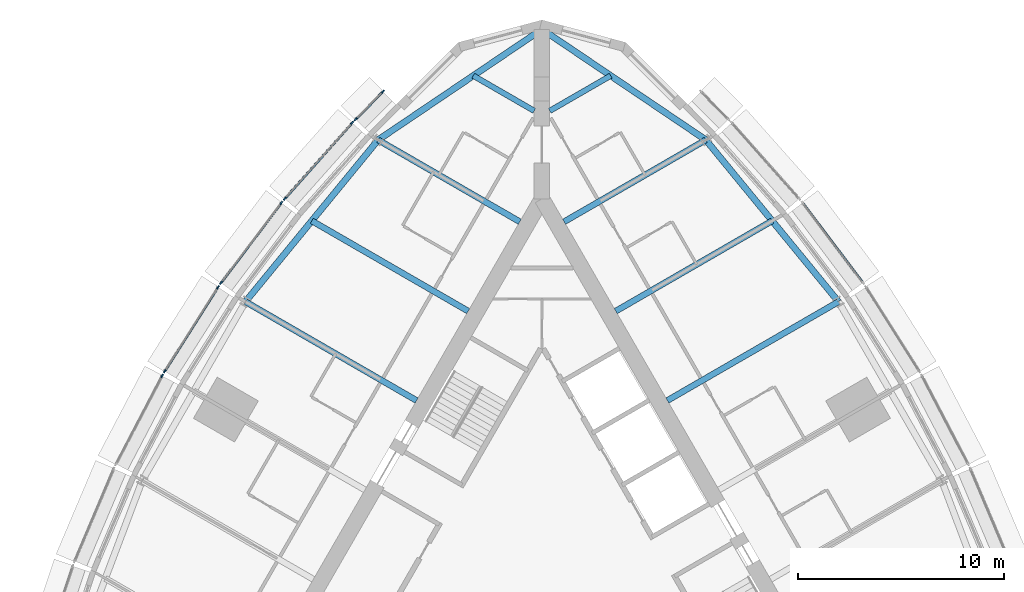
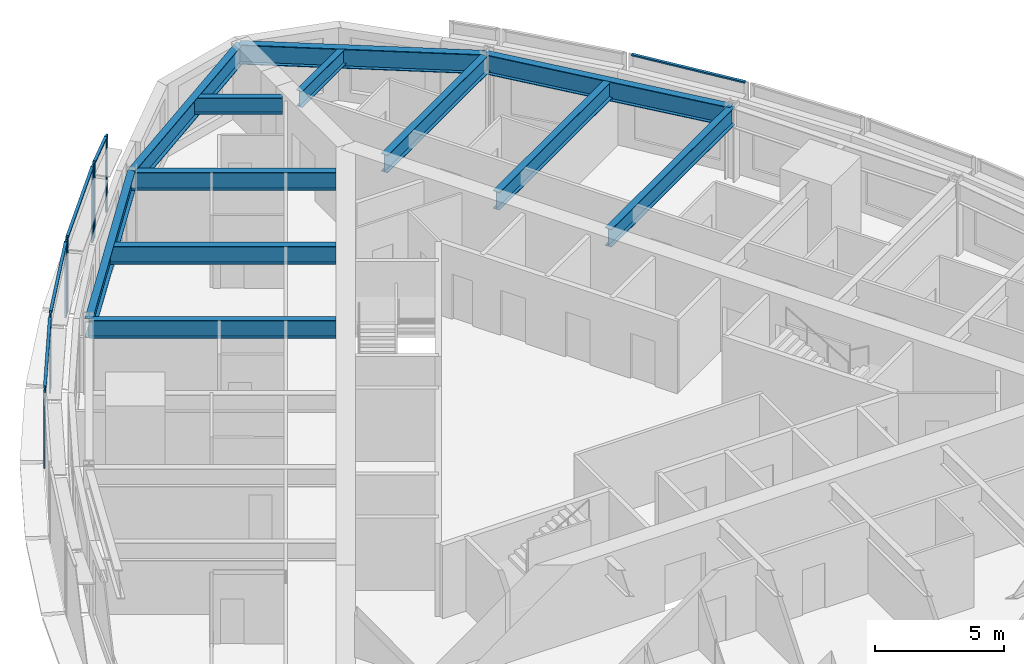
# One storey, part 5 of 15: 14 members, 12 beams, 6 elements without a shape of their own.
"""IFC4 building model written with IfcOpenShell, lengths in metres."""

from ifc_helpers import new_model, si_unit, direction, frame, origin, origin_2d, place, context, subcontext, project, spatial, rectangle, i_section, extrude, material, material_profile, profile_set, type_object, element, aggregate, save


model = new_model("IFC4")

# Units and contexts
model_context = context("Model", 3, precision=1e-05, world=origin(), true_north=direction((0.0, 1.0)))
body_context = subcontext(model_context, "Body", "Model", "MODEL_VIEW")
ifc_project = project(units=[si_unit("LENGTHUNIT", "METRE"), si_unit("AREAUNIT", "SQUARE_METRE"), si_unit("VOLUMEUNIT", "CUBIC_METRE"), si_unit("PLANEANGLEUNIT", "RADIAN"), si_unit("MASSUNIT", "GRAM", prefix="KILO")], contexts=[model_context])

# Site, building, storey
site_placement = place(None, origin())
site = spatial("IfcSite", under=ifc_project, at=site_placement, CompositionType="ELEMENT")
building_placement = place(site_placement, origin())
building = spatial("IfcBuilding", under=site, at=building_placement, Name="Trikona Tower", CompositionType="ELEMENT")
storey_placement = place(building_placement, frame((0.0, 0.0, 208.10009765625)))
storey = spatial("IfcBuildingStorey", under=building, at=storey_placement, Name="L55", CompositionType="ELEMENT", Elevation=208.10009765625)

# Curtain wall, members
ifc_material_1 = material(Name="Aluminium curtain wall system", Category="aluminium")
curtain_wall_type = type_object("IfcCurtainWallType", Name="Curtain wall DS3", PredefinedType="NOTDEFINED", material=ifc_material_1)
curtain_wall_1_placement = place(storey_placement, origin())
curtain_wall_1 = element("IfcCurtainWall", 1, at=curtain_wall_1_placement, inside=storey, type_object=curtain_wall_type, Name="Curtain wall DS3 L55", PredefinedType="NOTDEFINED")
ifc_material_2 = material(Name="Aluminium mullion, pale anodised", Category="aluminium")
ifc_material_profile_1 = material_profile(ifc_material_2, rectangle(XDim=0.070068359375, YDim=0.179931640625, at=origin_2d()), Name="MUL-DS3")
ifc_profile_set_1 = profile_set([ifc_material_profile_1], Name="Aluminium mullion, pale anodised")
member_type_1 = type_object("IfcMemberType", Name="Mullion DS3 70x180", PredefinedType="MULLION", material=ifc_profile_set_1)
member_1_placement = place(storey_placement, frame((-7.7060546875, 24.237548828125, 0.0), z_axis=(0.0, 0.0, 1.0), x_axis=(0.710051900554, -0.704149343903, 0.0)))
member_1 = element("IfcMember", 2, at=member_1_placement, type_object=member_type_1, Name="CW-DS3 mullion 1", PredefinedType="MULLION", context=body_context, shape_type="SweptSolid", body=[
    extrude(rectangle(XDim=0.070068359375, YDim=0.179931640625, at=origin_2d()), origin(), (0.0, 0.0, 1.0), 3.599853515625),
])
member_2_placement = place(storey_placement, frame((-9.028564453125, 22.904052734375, 0.0), z_axis=(0.0, 0.0, 1.0), x_axis=(0.710051900554, -0.704149343903, 0.0)))
member_2 = element("IfcMember", 3, at=member_2_placement, type_object=member_type_1, Name="CW-DS3 mullion 2", PredefinedType="MULLION", context=body_context, shape_type="SweptSolid", body=[
    extrude(rectangle(XDim=0.070068359375, YDim=0.179931640625, at=origin_2d()), origin(), (0.0, 0.0, 1.0), 3.599853515625),
])

curtain_wall_2_placement = place(storey_placement, origin())
curtain_wall_2 = element("IfcCurtainWall", 4, at=curtain_wall_2_placement, inside=storey, type_object=curtain_wall_type, Name="Curtain wall DS3 L55", PredefinedType="NOTDEFINED")
member_3_placement = place(storey_placement, frame((-9.192138671875, 22.729736328125, 0.0), z_axis=(0.0, 0.0, 1.0), x_axis=(0.747402677853, -0.664371309689, 0.0)))
member_3 = element("IfcMember", 5, at=member_3_placement, type_object=member_type_1, Name="CW-DS3 mullion 1", PredefinedType="MULLION", context=body_context, shape_type="SweptSolid", body=[
    extrude(rectangle(XDim=0.070068359375, YDim=0.179931640625, at=origin_2d()), origin(), (0.0, 0.0, 1.0), 3.599853515625),
])
member_4_placement = place(storey_placement, frame((-12.45751953125, 19.056396484375, 0.0), z_axis=(0.0, 0.0, 1.0), x_axis=(0.747402677853, -0.664371309689, 0.0)))
member_4 = element("IfcMember", 6, at=member_4_placement, type_object=member_type_1, Name="CW-DS3 mullion 2", PredefinedType="MULLION", context=body_context, shape_type="SweptSolid", body=[
    extrude(rectangle(XDim=0.070068359375, YDim=0.179931640625, at=origin_2d()), origin(), (0.0, 0.0, 1.0), 3.599853515625),
])

curtain_wall_3_placement = place(storey_placement, origin())
curtain_wall_3 = element("IfcCurtainWall", 7, at=curtain_wall_3_placement, inside=storey, type_object=curtain_wall_type, Name="Curtain wall DS3 L55", PredefinedType="NOTDEFINED")
member_5_placement = place(storey_placement, frame((-12.62353515625, 18.853759765625, 0.0), z_axis=(0.0, 0.0, 1.0), x_axis=(0.798193208724, -0.602401528506, 0.0)))
member_5 = element("IfcMember", 8, at=member_5_placement, type_object=member_type_1, Name="CW-DS3 mullion 1", PredefinedType="MULLION", context=body_context, shape_type="SweptSolid", body=[
    extrude(rectangle(XDim=0.070068359375, YDim=0.179931640625, at=origin_2d()), origin(), (0.0, 0.0, 1.0), 3.599853515625),
])
member_6_placement = place(storey_placement, frame((-15.5439453125, 14.984130859375, 0.0), z_axis=(0.0, 0.0, 1.0), x_axis=(0.798193208724, -0.602401528506, 0.0)))
member_6 = element("IfcMember", 9, at=member_6_placement, type_object=member_type_1, Name="CW-DS3 mullion 2", PredefinedType="MULLION", context=body_context, shape_type="SweptSolid", body=[
    extrude(rectangle(XDim=0.070068359375, YDim=0.179931640625, at=origin_2d()), origin(), (0.0, 0.0, 1.0), 3.599853515625),
])

curtain_wall_4_placement = place(storey_placement, origin())
curtain_wall_4 = element("IfcCurtainWall", 10, at=curtain_wall_4_placement, inside=storey, type_object=curtain_wall_type, Name="Curtain wall DS3 L55", PredefinedType="NOTDEFINED")
member_7_placement = place(storey_placement, frame((-15.69384765625, 14.767578125, 0.0), z_axis=(0.0, 0.0, 1.0), x_axis=(0.844727131858, -0.535197227854, 0.0)))
member_7 = element("IfcMember", 11, at=member_7_placement, type_object=member_type_1, Name="CW-DS3 mullion 1", PredefinedType="MULLION", context=body_context, shape_type="SweptSolid", body=[
    extrude(rectangle(XDim=0.070068359375, YDim=0.179931640625, at=origin_2d()), origin(), (0.0, 0.0, 1.0), 3.599853515625),
])
member_8_placement = place(storey_placement, frame((-18.2705078125, 10.700927734375, 0.0), z_axis=(0.0, 0.0, 1.0), x_axis=(0.844727131858, -0.535197227854, 0.0)))
member_8 = element("IfcMember", 12, at=member_8_placement, type_object=member_type_1, Name="CW-DS3 mullion 2", PredefinedType="MULLION", context=body_context, shape_type="SweptSolid", body=[
    extrude(rectangle(XDim=0.070068359375, YDim=0.179931640625, at=origin_2d()), origin(), (0.0, 0.0, 1.0), 3.599853515625),
])

# Curtain wall, member
curtain_wall_5_placement = place(storey_placement, origin())
curtain_wall_5 = element("IfcCurtainWall", 13, at=curtain_wall_5_placement, inside=storey, type_object=curtain_wall_type, Name="Curtain wall DS3 L55", PredefinedType="NOTDEFINED")
member_9_placement = place(storey_placement, frame((-18.40234375, 10.472412109375, 0.0), z_axis=(0.0, 0.0, 1.0), x_axis=(0.885862390527, -0.463948084434, 0.0)))
member_9 = element("IfcMember", 14, at=member_9_placement, type_object=member_type_1, Name="CW-DS3 mullion 1", PredefinedType="MULLION", context=body_context, shape_type="SweptSolid", body=[
    extrude(rectangle(XDim=0.070068359375, YDim=0.179931640625, at=origin_2d()), origin(), (0.0, 0.0, 1.0), 3.599853515625),
])
aggregate(curtain_wall_5, [member_9])

# Beams
ifc_material_3 = material(Name="Steel ASTM A992 Grade 50", Category="steel")
ifc_material_profile_2 = material_profile(ifc_material_3, i_section(OverallWidth=0.2666015625, OverallDepth=0.76953125, WebThickness=0.015625, FlangeThickness=0.025390625, at=origin_2d()), Name="W30X132")
ifc_profile_set_2 = profile_set([ifc_material_profile_2], Name="Steel ASTM A992 Grade 50")
beam_type_1 = type_object("IfcBeamType", Name="Steel beam W30x132 (wedge)", PredefinedType="BEAM", material=ifc_profile_set_2)
for number, where, z_axis, x_axis, name in (
    (15, (0.375, 23.310546875, 3.050048828125), (0.866027000698, 0.499997234054, 0.0), (-0.499997234054, 0.866027000698, 0.0), "Floor beam L56 F2 u20"),
    (16, (-0.375, 23.310546875, 3.050048828125), (-0.866027000698, 0.499997234054, 0.0), (-0.499997234054, -0.866027000698, 0.0), "Floor beam L56 F3 u-20"),
):
    element("IfcBeam", number, at=place(storey_placement, frame(where, z_axis=z_axis, x_axis=x_axis)), inside=storey, type_object=beam_type_1, Name=name, PredefinedType="BEAM", context=body_context, shape_type="SweptSolid", body=[
        extrude(i_section(OverallWidth=0.2666015625, OverallDepth=0.76953125, WebThickness=0.015625, FlangeThickness=0.025390625, at=origin_2d()), origin(), (0.0, 0.0, 1.0), 3.40966796875),
    ])
ifc_material_4 = material(Name="Steel ASTM A992 Grade 50", Category="steel")
ifc_material_profile_3 = material_profile(ifc_material_4, i_section(OverallWidth=0.2919921875, OverallDepth=0.845703125, WebThickness=0.015380859375, FlangeThickness=0.0244140625, at=origin_2d()), Name="W33X141")
ifc_profile_set_3 = profile_set([ifc_material_profile_3], Name="Steel ASTM A992 Grade 50")
beam_type_2 = type_object("IfcBeamType", Name="Steel beam W33x141 (radial typ)", PredefinedType="BEAM", material=ifc_profile_set_3)
beam_1_placement = place(storey_placement, frame((6.07470703125, 9.28076171875, 3.011962890625), z_axis=(0.866025863714, 0.499999203377, 0.0), x_axis=(-0.499999203377, 0.866025863714, 0.0)))
element("IfcBeam", 17, at=beam_1_placement, inside=storey, type_object=beam_type_2, Name="Floor beam L56 F2 u5", PredefinedType="BEAM", context=body_context, shape_type="SweptSolid", body=[
    extrude(i_section(OverallWidth=0.2919921875, OverallDepth=0.845703125, WebThickness=0.015380859375, FlangeThickness=0.0244140625, at=origin_2d()), origin(), (0.0, 0.0, 1.0), 9.57080078125),
])
beam_2_placement = place(storey_placement, frame((3.57470703125, 13.61083984375, 3.011962890625), z_axis=(0.866013609749, 0.500020427312, 0.0), x_axis=(-0.500020427312, 0.866013609749, 0.0)))
element("IfcBeam", 18, at=beam_2_placement, inside=storey, type_object=beam_type_2, Name="Floor beam L56 F2 u10", PredefinedType="BEAM", context=body_context, shape_type="SweptSolid", body=[
    extrude(i_section(OverallWidth=0.2919921875, OverallDepth=0.845703125, WebThickness=0.015380859375, FlangeThickness=0.0244140625, at=origin_2d()), origin(), (0.0, 0.0, 1.0), 8.747314453125),
])
for number, where, z_axis, x_axis, name in (
    (19, (1.07470703125, 17.94091796875, 3.011962890625), (0.866019853763, 0.500009612796, 0.0), (-0.500009612796, 0.866019853763, 0.0), "Floor beam L56 F2 u15"),
    (20, (-1.07470703125, 17.94091796875, 3.011962890625), (-0.866019853763, 0.500009612796, 0.0), (-0.500009612796, -0.866019853763, 0.0), "Floor beam L56 F3 u-15"),
):
    element("IfcBeam", number, at=place(storey_placement, frame(where, z_axis=z_axis, x_axis=x_axis)), inside=storey, type_object=beam_type_2, Name=name, PredefinedType="BEAM", context=body_context, shape_type="SweptSolid", body=[
        extrude(i_section(OverallWidth=0.2919921875, OverallDepth=0.845703125, WebThickness=0.015380859375, FlangeThickness=0.0244140625, at=origin_2d()), origin(), (0.0, 0.0, 1.0), 7.923583984375),
    ])
beam_3_placement = place(storey_placement, frame((-3.57470703125, 13.61083984375, 3.011962890625), z_axis=(-0.866013609749, 0.500020427312, 0.0), x_axis=(-0.500020427312, -0.866013609749, 0.0)))
element("IfcBeam", 21, at=beam_3_placement, inside=storey, type_object=beam_type_2, Name="Floor beam L56 F3 u-10", PredefinedType="BEAM", context=body_context, shape_type="SweptSolid", body=[
    extrude(i_section(OverallWidth=0.2919921875, OverallDepth=0.845703125, WebThickness=0.015380859375, FlangeThickness=0.0244140625, at=origin_2d()), origin(), (0.0, 0.0, 1.0), 8.747314453125),
])
beam_4_placement = place(storey_placement, frame((-6.07470703125, 9.28076171875, 3.011962890625), z_axis=(-0.866025863714, 0.499999203377, 0.0), x_axis=(-0.499999203377, -0.866025863714, 0.0)))
element("IfcBeam", 22, at=beam_4_placement, inside=storey, type_object=beam_type_2, Name="Floor beam L56 F3 u-5", PredefinedType="BEAM", context=body_context, shape_type="SweptSolid", body=[
    extrude(i_section(OverallWidth=0.2919921875, OverallDepth=0.845703125, WebThickness=0.015380859375, FlangeThickness=0.0244140625, at=origin_2d()), origin(), (0.0, 0.0, 1.0), 9.57080078125),
])
ifc_material_5 = material(Name="Steel ASTM A992 Grade 50", Category="steel")
ifc_material_profile_4 = material_profile(ifc_material_5, i_section(OverallWidth=0.307373046875, OverallDepth=0.922119140625, WebThickness=0.018310546875, FlangeThickness=0.030029296875, at=origin_2d()), Name="W36X182")
ifc_profile_set_4 = profile_set([ifc_material_profile_4], Name="Steel ASTM A992 Grade 50")
beam_type_3 = type_object("IfcBeamType", Name="Steel beam W36x182 (spandrel mid)", PredefinedType="SPANDREL", material=ifc_profile_set_4)
beam_5_placement = place(storey_placement, frame((14.36328125, 14.066162109375, 2.973876953125), z_axis=(-0.634105803308, 0.77324629337, 0.0), x_axis=(-0.77324629337, -0.634105803308, 0.0)))
element("IfcBeam", 23, at=beam_5_placement, inside=storey, type_object=beam_type_3, Name="Spandrel beam L56 F2-4", PredefinedType="SPANDREL", context=body_context, shape_type="SweptSolid", body=[
    extrude(i_section(OverallWidth=0.307373046875, OverallDepth=0.922119140625, WebThickness=0.018310546875, FlangeThickness=0.030029296875, at=origin_2d()), origin(), (0.0, 0.0, 1.0), 10.134765625),
])
for number, where, z_axis, x_axis, name in (
    (24, (7.936767578125, 21.90283203125, 2.973876953125), (-0.828725418029, 0.55965541319, 0.0), (-0.55965541319, -0.828725418029, 0.0), "Spandrel beam L56 F2-5"),
    (25, (0.0, 27.2626953125, 2.973876953125), (-0.828725418029, -0.55965541319, 0.0), (0.55965541319, -0.828725418029, 0.0), "Spandrel beam L56 F3-1"),
):
    element("IfcBeam", number, at=place(storey_placement, frame(where, z_axis=z_axis, x_axis=x_axis)), inside=storey, type_object=beam_type_3, Name=name, PredefinedType="SPANDREL", context=body_context, shape_type="SweptSolid", body=[
        extrude(i_section(OverallWidth=0.307373046875, OverallDepth=0.922119140625, WebThickness=0.018310546875, FlangeThickness=0.030029296875, at=origin_2d()), origin(), (0.0, 0.0, 1.0), 9.5771484375),
    ])
beam_6_placement = place(storey_placement, frame((-7.936767578125, 21.90283203125, 2.973876953125), z_axis=(-0.634105803308, -0.77324629337, 0.0), x_axis=(0.77324629337, -0.634105803308, 0.0)))
element("IfcBeam", 26, at=beam_6_placement, inside=storey, type_object=beam_type_3, Name="Spandrel beam L56 F3-2", PredefinedType="SPANDREL", context=body_context, shape_type="SweptSolid", body=[
    extrude(i_section(OverallWidth=0.307373046875, OverallDepth=0.922119140625, WebThickness=0.018310546875, FlangeThickness=0.030029296875, at=origin_2d()), origin(), (0.0, 0.0, 1.0), 10.134765625),
])

# Curtain wall, member
curtain_wall_6_placement = place(storey_placement, origin())
curtain_wall_6 = element("IfcCurtainWall", 27, at=curtain_wall_6_placement, inside=storey, type_object=curtain_wall_type, Name="Curtain wall DS3 L55", PredefinedType="NOTDEFINED")
ifc_material_6 = material(Name="Aluminium transom, pale anodised", Category="aluminium")
ifc_material_profile_5 = material_profile(ifc_material_6, rectangle(XDim=0.1201171875, YDim=0.070068359375, at=origin_2d()), Name="TRN-DS3")
ifc_profile_set_5 = profile_set([ifc_material_profile_5], Name="Aluminium transom, pale anodised")
member_type_2 = type_object("IfcMemberType", Name="Transom DS3 70x120", PredefinedType="USERDEFINED", material=ifc_profile_set_5)
member_10_placement = place(storey_placement, frame((15.52294921875, 15.011962890625, 3.56494140625), z_axis=(-0.602400763927, 0.798193785756, 0.0), x_axis=(-0.798193785756, -0.602400763927, 0.0)))
member_10 = element("IfcMember", 28, at=member_10_placement, type_object=member_type_2, Name="CW-DS3 transom 1.1", ObjectType="TRANSOM", PredefinedType="USERDEFINED", context=body_context, shape_type="SweptSolid", body=[
    extrude(rectangle(XDim=0.1201171875, YDim=0.070068359375, at=origin_2d()), origin(), (0.0, 0.0, 1.0), 4.7783203125),
])
aggregate(curtain_wall_6, [member_10])

# Member
member_11_placement = place(storey_placement, frame((-7.73046875, 24.212890625, 3.56494140625), z_axis=(-0.704130668076, -0.710070420645, 0.0), x_axis=(0.710070420645, -0.704130668076, 0.0)))
member_11 = element("IfcMember", 29, at=member_11_placement, type_object=member_type_2, Name="CW-DS3 transom 1.1", ObjectType="TRANSOM", PredefinedType="USERDEFINED", context=body_context, shape_type="SweptSolid", body=[
    extrude(rectangle(XDim=0.1201171875, YDim=0.070068359375, at=origin_2d()), origin(), (0.0, 0.0, 1.0), 1.80859375),
])

aggregate(curtain_wall_1, [member_1, member_2, member_11])

member_12_placement = place(storey_placement, frame((-9.21533203125, 22.70361328125, 3.56494140625), z_axis=(-0.66436383883, -0.747409318684, 0.0), x_axis=(0.747409318684, -0.66436383883, 0.0)))
member_12 = element("IfcMember", 30, at=member_12_placement, type_object=member_type_2, Name="CW-DS3 transom 1.1", ObjectType="TRANSOM", PredefinedType="USERDEFINED", context=body_context, shape_type="SweptSolid", body=[
    extrude(rectangle(XDim=0.1201171875, YDim=0.070068359375, at=origin_2d()), origin(), (0.0, 0.0, 1.0), 4.844970703125),
])

aggregate(curtain_wall_2, [member_3, member_4, member_12])

member_13_placement = place(storey_placement, frame((-12.64453125, 18.825927734375, 3.56494140625), z_axis=(-0.602400763927, -0.798193785756, 0.0), x_axis=(0.798193785756, -0.602400763927, 0.0)))
member_13 = element("IfcMember", 31, at=member_13_placement, type_object=member_type_2, Name="CW-DS3 transom 1.1", ObjectType="TRANSOM", PredefinedType="USERDEFINED", context=body_context, shape_type="SweptSolid", body=[
    extrude(rectangle(XDim=0.1201171875, YDim=0.070068359375, at=origin_2d()), origin(), (0.0, 0.0, 1.0), 4.7783203125),
])

aggregate(curtain_wall_3, [member_5, member_6, member_13])

member_14_placement = place(storey_placement, frame((-15.712646484375, 14.738037109375, 3.56494140625), z_axis=(-0.535192866729, -0.844729894938, 0.0), x_axis=(0.844729894938, -0.535192866729, 0.0)))
member_14 = element("IfcMember", 32, at=member_14_placement, type_object=member_type_2, Name="CW-DS3 transom 1.1", ObjectType="TRANSOM", PredefinedType="USERDEFINED", context=body_context, shape_type="SweptSolid", body=[
    extrude(rectangle(XDim=0.1201171875, YDim=0.070068359375, at=origin_2d()), origin(), (0.0, 0.0, 1.0), 4.744140625),
])

aggregate(curtain_wall_4, [member_7, member_8, member_14])

save(model, "model.ifc")
